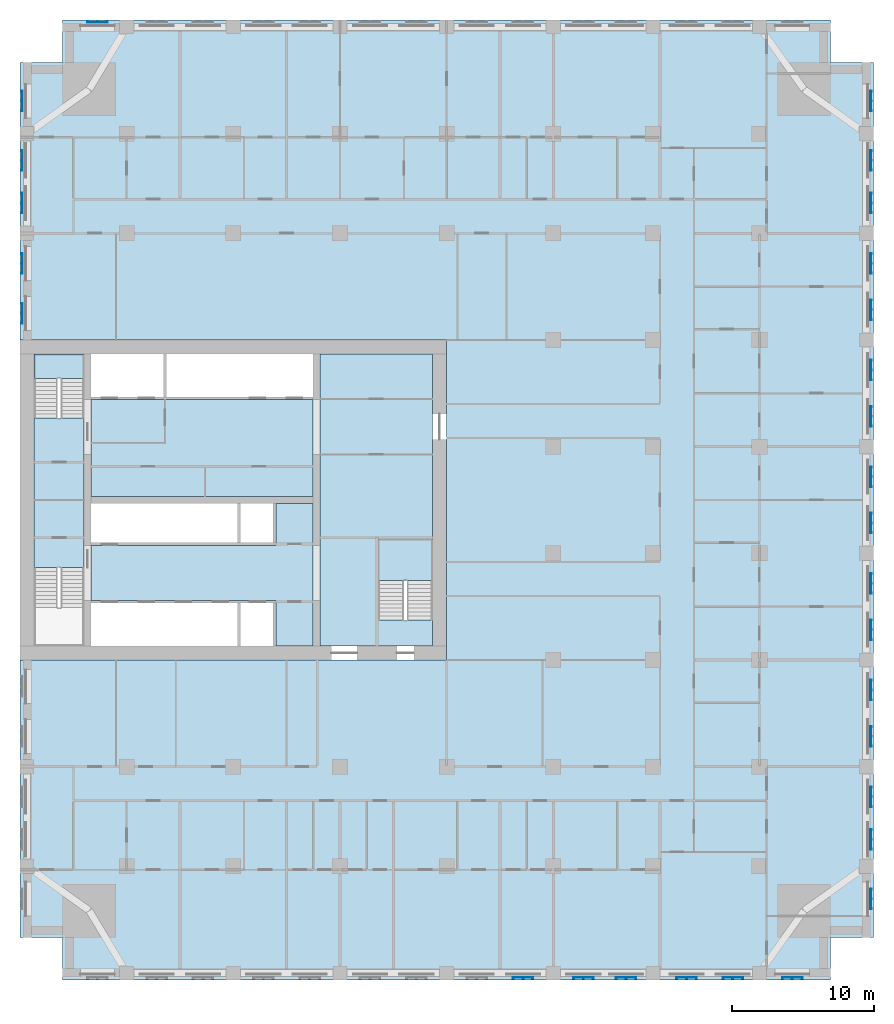
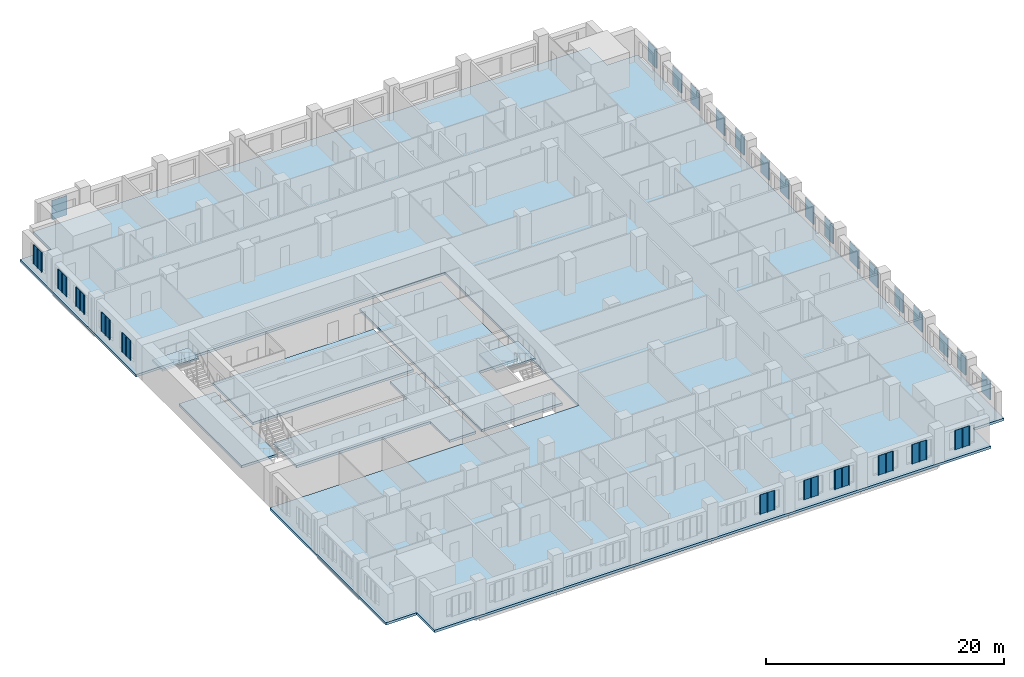
# One storey, part 2 of 14: 28 plates, 7 slabs, 2 elements without a shape of their own.
"""IFC4 building model written with IfcOpenShell, lengths in metres."""

from ifc_helpers import new_model, si_unit, direction, frame, origin, place, context, subcontext, project, spatial, polyline, outline, extrude, material, layer, layer_set, type_object, element, aggregate, save


model = new_model("IFC4")

# Units and contexts
model_context = context("Model", 3, precision=1e-05, world=origin(), true_north=direction((0.0, 1.0)))
body_context = subcontext(model_context, "Body", "Model", "MODEL_VIEW")
ifc_project = project(units=[si_unit("LENGTHUNIT", "METRE"), si_unit("AREAUNIT", "SQUARE_METRE"), si_unit("VOLUMEUNIT", "CUBIC_METRE"), si_unit("PLANEANGLEUNIT", "RADIAN"), si_unit("MASSUNIT", "GRAM", prefix="KILO")], contexts=[model_context])

# Site, building, storey
site_placement = place(None, origin())
site = spatial("IfcSite", under=ifc_project, at=site_placement, CompositionType="ELEMENT")
building_placement = place(site_placement, origin())
building = spatial("IfcBuilding", under=site, at=building_placement, Name="Tamorin Gate", CompositionType="ELEMENT")
storey_placement = place(building_placement, frame((0.0, 0.0, 89.89990234375)))
storey = spatial("IfcBuildingStorey", under=building, at=storey_placement, Name="L21", CompositionType="ELEMENT", Elevation=89.89990234375)

# Slabs
ifc_material_1 = material(Name="Concrete C40/50", Category="concrete")
ifc_layer_1 = layer(ifc_material_1, 0.25)
ifc_layer_set_1 = layer_set([ifc_layer_1], Name="Core floor slab 250 C40/50")
slab_type_1 = type_object("IfcSlabType", Name="Core floor slab 250 C40/50", PredefinedType="FLOOR", material=ifc_layer_set_1)
slab_1_placement = place(storey_placement, frame((0.0, 0.0, -0.25)))
element("IfcSlab", 1, at=slab_1_placement, inside=storey, type_object=slab_type_1, Name="Core floor L21", PredefinedType="FLOOR", context=body_context, shape_type="SweptSolid", body=[
    extrude(outline(polyline([(59.0, 62.800048828125), (59.0, 61.0), (51.10009765625, 61.0), (51.10009765625, 81.5), (59.0, 81.5), (59.0, 68.5), (55.199951171875, 68.5), (55.199951171875, 62.800048828125), (59.0, 62.800048828125)])), origin(), (0.0, 0.0, 1.0), 0.25),
])
slab_2_placement = place(storey_placement, frame((0.0, 0.0, -0.25)))
element("IfcSlab", 2, at=slab_2_placement, inside=storey, type_object=slab_type_1, Name="Core floor L21", PredefinedType="FLOOR", context=body_context, shape_type="SweptSolid", body=[
    extrude(outline(polyline([(50.60009765625, 61.0), (48.0, 61.0), (48.0, 64.199951171875), (35.0, 64.199951171875), (35.0, 68.050048828125), (48.0, 68.050048828125), (48.0, 71.0), (50.60009765625, 71.0), (50.60009765625, 61.0)])), origin(), (0.0, 0.0, 1.0), 0.25),
])
slab_3_placement = place(storey_placement, frame((0.0, 0.0, -0.25)))
element("IfcSlab", 3, at=slab_3_placement, inside=storey, type_object=slab_type_1, Name="Core floor L21", PredefinedType="FLOOR", context=body_context, shape_type="SweptSolid", body=[
    extrude(outline(polyline([(50.60009765625, 71.5), (35.0, 71.5), (35.0, 78.300048828125), (50.60009765625, 78.300048828125), (50.60009765625, 71.5)])), origin(), (0.0, 0.0, 1.0), 0.25),
])
slab_4_placement = place(storey_placement, frame((0.0, 0.0, -0.25)))
element("IfcSlab", 4, at=slab_4_placement, inside=storey, type_object=slab_type_1, Name="Core floor L21", PredefinedType="FLOOR", context=body_context, shape_type="SweptSolid", body=[
    extrude(outline(polyline([(31.0, 66.5), (31.0, 77.0), (34.5, 77.0), (34.5, 66.5), (31.0, 66.5)])), origin(), (0.0, 0.0, 1.0), 0.25),
])

# Stair, slab
stair_type = type_object("IfcStairType", Name="Exit stair", PredefinedType="HALF_TURN_STAIR", material=ifc_material_1)
stair_1_placement = place(storey_placement, origin())
stair_1 = element("IfcStair", 5, at=stair_1_placement, inside=storey, type_object=stair_type, Name="L21 stair ST2", PredefinedType="HALF_TURN_STAIR")
ifc_layer_2 = layer(ifc_material_1, 0.199951171875)
ifc_layer_set_2 = layer_set([ifc_layer_2], Name="Exit stair landing 200")
slab_type_2 = type_object("IfcSlabType", Name="Exit stair landing 200", PredefinedType="LANDING", material=ifc_layer_set_2)
slab_5_placement = place(storey_placement, frame((0.0, 0.0, 1.60009765625)))
slab_5 = element("IfcSlab", 6, at=slab_5_placement, type_object=slab_type_2, Name="ST2 landing 1", PredefinedType="LANDING", context=body_context, shape_type="SweptSolid", body=[
    extrude(outline(polyline([(34.5, 79.800048828125), (34.5, 81.5), (31.0, 81.5), (31.0, 79.800048828125), (34.5, 79.800048828125)])), origin(), (0.0, 0.0, 1.0), 0.199951171875),
])
aggregate(stair_1, [slab_5])

stair_2_placement = place(storey_placement, origin())
stair_2 = element("IfcStair", 7, at=stair_2_placement, inside=storey, type_object=stair_type, Name="L21 stair ST3", PredefinedType="HALF_TURN_STAIR")
slab_6_placement = place(storey_placement, frame((0.0, 0.0, 1.60009765625)))
slab_6 = element("IfcSlab", 8, at=slab_6_placement, type_object=slab_type_2, Name="ST3 landing 1", PredefinedType="LANDING", context=body_context, shape_type="SweptSolid", body=[
    extrude(outline(polyline([(59.0, 65.60009765625), (59.0, 68.5), (55.199951171875, 68.5), (55.199951171875, 65.60009765625), (59.0, 65.60009765625)])), origin(), (0.0, 0.0, 1.0), 0.199951171875),
])
aggregate(stair_2, [slab_6])

# Slab
ifc_layer_3 = layer(ifc_material_1, 0.25)
ifc_layer_set_3 = layer_set([ifc_layer_3], Name="Floor slab 250 C40/50")
slab_type_3 = type_object("IfcSlabType", Name="Floor slab 250 C40/50", PredefinedType="FLOOR", material=ifc_layer_set_3)
slab_7_placement = place(storey_placement, frame((0.0, 0.0, -0.25)))
element("IfcSlab", 9, at=slab_7_placement, inside=storey, type_object=slab_type_3, Name="Floor L21", PredefinedType="FLOOR", context=body_context, shape_type="SweptSolid", body=[
    extrude(outline(polyline([(30.0, 102.0), (33.0, 102.0), (33.0, 105.0), (87.0, 105.0), (87.0, 102.0), (90.0, 102.0), (90.0, 40.5), (87.0, 40.5), (87.0, 37.5), (33.0, 37.5), (33.0, 40.5), (30.0, 40.5), (30.0, 60.0), (60.0, 60.0), (60.0, 82.5), (30.0, 82.5), (30.0, 102.0)])), origin(), (0.0, 0.0, 1.0), 0.25),
])

# Plates
ifc_material_2 = material(Name="Perforated pale aluminium sheet", Category="aluminium")
ifc_layer_4 = layer(ifc_material_2, 0.0400390625)
ifc_layer_set_4 = layer_set([ifc_layer_4], Name="Pale metal solar screen 1440")
plate_type = type_object("IfcPlateType", Name="Pale metal solar screen 1440", PredefinedType="SHEET", material=ifc_layer_set_4)
plate_1_placement = place(storey_placement, frame((0.0, 0.0, 0.710205078125)))
element("IfcPlate", 10, at=plate_1_placement, inside=storey, type_object=plate_type, Name="Perforated solar screen", PredefinedType="SHEET", context=body_context, shape_type="SweptSolid", body=[
    extrude(outline(polyline([(64.655029296875, 37.659912109375), (64.655029296875, 37.699951171875), (64.715087890625, 37.699951171875), (65.344970703125, 37.699951171875), (65.405029296875, 37.699951171875), (66.034912109375, 37.699951171875), (66.094970703125, 37.699951171875), (66.094970703125, 37.659912109375), (66.094970703125, 37.60009765625), (66.034912109375, 37.60009765625), (66.034912109375, 37.659912109375), (65.405029296875, 37.659912109375), (65.405029296875, 37.60009765625), (65.344970703125, 37.60009765625), (65.344970703125, 37.659912109375), (64.715087890625, 37.659912109375), (64.715087890625, 37.60009765625), (64.655029296875, 37.60009765625), (64.655029296875, 37.659912109375)])), origin(), (0.0, 0.0, 1.0), 1.97998046875),
])
plate_2_placement = place(storey_placement, frame((0.0, 0.0, 0.710205078125)))
element("IfcPlate", 11, at=plate_2_placement, inside=storey, type_object=plate_type, Name="Perforated solar screen", PredefinedType="SHEET", context=body_context, shape_type="SweptSolid", body=[
    extrude(outline(polyline([(68.905029296875, 37.659912109375), (68.905029296875, 37.699951171875), (68.965087890625, 37.699951171875), (69.594970703125, 37.699951171875), (69.655029296875, 37.699951171875), (70.284912109375, 37.699951171875), (70.344970703125, 37.699951171875), (70.344970703125, 37.659912109375), (70.344970703125, 37.60009765625), (70.284912109375, 37.60009765625), (70.284912109375, 37.659912109375), (69.655029296875, 37.659912109375), (69.655029296875, 37.60009765625), (69.594970703125, 37.60009765625), (69.594970703125, 37.659912109375), (68.965087890625, 37.659912109375), (68.965087890625, 37.60009765625), (68.905029296875, 37.60009765625), (68.905029296875, 37.659912109375)])), origin(), (0.0, 0.0, 1.0), 1.97998046875),
])
plate_3_placement = place(storey_placement, frame((0.0, 0.0, 0.710205078125)))
element("IfcPlate", 12, at=plate_3_placement, inside=storey, type_object=plate_type, Name="Perforated solar screen", PredefinedType="SHEET", context=body_context, shape_type="SweptSolid", body=[
    extrude(outline(polyline([(71.905029296875, 37.659912109375), (71.905029296875, 37.699951171875), (71.965087890625, 37.699951171875), (72.594970703125, 37.699951171875), (72.655029296875, 37.699951171875), (73.284912109375, 37.699951171875), (73.344970703125, 37.699951171875), (73.344970703125, 37.659912109375), (73.344970703125, 37.60009765625), (73.284912109375, 37.60009765625), (73.284912109375, 37.659912109375), (72.655029296875, 37.659912109375), (72.655029296875, 37.60009765625), (72.594970703125, 37.60009765625), (72.594970703125, 37.659912109375), (71.965087890625, 37.659912109375), (71.965087890625, 37.60009765625), (71.905029296875, 37.60009765625), (71.905029296875, 37.659912109375)])), origin(), (0.0, 0.0, 1.0), 1.97998046875),
])
plate_4_placement = place(storey_placement, frame((0.0, 0.0, 0.710205078125)))
element("IfcPlate", 13, at=plate_4_placement, inside=storey, type_object=plate_type, Name="Perforated solar screen", PredefinedType="SHEET", context=body_context, shape_type="SweptSolid", body=[
    extrude(outline(polyline([(76.155029296875, 37.659912109375), (76.155029296875, 37.699951171875), (76.215087890625, 37.699951171875), (76.844970703125, 37.699951171875), (76.905029296875, 37.699951171875), (77.534912109375, 37.699951171875), (77.594970703125, 37.699951171875), (77.594970703125, 37.659912109375), (77.594970703125, 37.60009765625), (77.534912109375, 37.60009765625), (77.534912109375, 37.659912109375), (76.905029296875, 37.659912109375), (76.905029296875, 37.60009765625), (76.844970703125, 37.60009765625), (76.844970703125, 37.659912109375), (76.215087890625, 37.659912109375), (76.215087890625, 37.60009765625), (76.155029296875, 37.60009765625), (76.155029296875, 37.659912109375)])), origin(), (0.0, 0.0, 1.0), 1.97998046875),
])
plate_5_placement = place(storey_placement, frame((0.0, 0.0, 0.710205078125)))
element("IfcPlate", 14, at=plate_5_placement, inside=storey, type_object=plate_type, Name="Perforated solar screen", PredefinedType="SHEET", context=body_context, shape_type="SweptSolid", body=[
    extrude(outline(polyline([(79.405029296875, 37.659912109375), (79.405029296875, 37.699951171875), (79.465087890625, 37.699951171875), (80.094970703125, 37.699951171875), (80.155029296875, 37.699951171875), (80.784912109375, 37.699951171875), (80.844970703125, 37.699951171875), (80.844970703125, 37.659912109375), (80.844970703125, 37.60009765625), (80.784912109375, 37.60009765625), (80.784912109375, 37.659912109375), (80.155029296875, 37.659912109375), (80.155029296875, 37.60009765625), (80.094970703125, 37.60009765625), (80.094970703125, 37.659912109375), (79.465087890625, 37.659912109375), (79.465087890625, 37.60009765625), (79.405029296875, 37.60009765625), (79.405029296875, 37.659912109375)])), origin(), (0.0, 0.0, 1.0), 1.97998046875),
])
plate_6_placement = place(storey_placement, frame((0.0, 0.0, 0.710205078125)))
element("IfcPlate", 15, at=plate_6_placement, inside=storey, type_object=plate_type, Name="Perforated solar screen", PredefinedType="SHEET", context=body_context, shape_type="SweptSolid", body=[
    extrude(outline(polyline([(83.580078125, 37.659912109375), (83.580078125, 37.699951171875), (83.639892578125, 37.699951171875), (84.27001953125, 37.699951171875), (84.330078125, 37.699951171875), (84.9599609375, 37.699951171875), (85.02001953125, 37.699951171875), (85.02001953125, 37.659912109375), (85.02001953125, 37.60009765625), (84.9599609375, 37.60009765625), (84.9599609375, 37.659912109375), (84.330078125, 37.659912109375), (84.330078125, 37.60009765625), (84.27001953125, 37.60009765625), (84.27001953125, 37.659912109375), (83.639892578125, 37.659912109375), (83.639892578125, 37.60009765625), (83.580078125, 37.60009765625), (83.580078125, 37.659912109375)])), origin(), (0.0, 0.0, 1.0), 1.97998046875),
])
plate_7_placement = place(storey_placement, frame((0.0, 0.0, 0.710205078125)))
element("IfcPlate", 16, at=plate_7_placement, inside=storey, type_object=plate_type, Name="Perforated solar screen", PredefinedType="SHEET", context=body_context, shape_type="SweptSolid", body=[
    extrude(outline(polyline([(89.840087890625, 42.47998046875), (89.800048828125, 42.47998046875), (89.800048828125, 42.5400390625), (89.800048828125, 43.169921875), (89.800048828125, 43.22998046875), (89.800048828125, 43.860107421875), (89.800048828125, 43.919921875), (89.840087890625, 43.919921875), (89.89990234375, 43.919921875), (89.89990234375, 43.860107421875), (89.840087890625, 43.860107421875), (89.840087890625, 43.22998046875), (89.89990234375, 43.22998046875), (89.89990234375, 43.169921875), (89.840087890625, 43.169921875), (89.840087890625, 42.5400390625), (89.89990234375, 42.5400390625), (89.89990234375, 42.47998046875), (89.840087890625, 42.47998046875)])), origin(), (0.0, 0.0, 1.0), 1.97998046875),
])
plate_8_placement = place(storey_placement, frame((0.0, 0.0, 0.710205078125)))
element("IfcPlate", 17, at=plate_8_placement, inside=storey, type_object=plate_type, Name="Perforated solar screen", PredefinedType="SHEET", context=body_context, shape_type="SweptSolid", body=[
    extrude(outline(polyline([(89.840087890625, 46.655029296875), (89.800048828125, 46.655029296875), (89.800048828125, 46.715087890625), (89.800048828125, 47.344970703125), (89.800048828125, 47.405029296875), (89.800048828125, 48.034912109375), (89.800048828125, 48.094970703125), (89.800048828125, 48.094970703125), (89.840087890625, 48.094970703125), (89.840087890625, 48.094970703125), (89.89990234375, 48.094970703125), (89.89990234375, 48.034912109375), (89.840087890625, 48.034912109375), (89.840087890625, 47.405029296875), (89.89990234375, 47.405029296875), (89.89990234375, 47.344970703125), (89.840087890625, 47.344970703125), (89.840087890625, 46.715087890625), (89.89990234375, 46.715087890625), (89.89990234375, 46.655029296875), (89.840087890625, 46.655029296875)])), origin(), (0.0, 0.0, 1.0), 1.97998046875),
])
plate_9_placement = place(storey_placement, frame((0.0, 0.0, 0.710205078125)))
element("IfcPlate", 18, at=plate_9_placement, inside=storey, type_object=plate_type, Name="Perforated solar screen", PredefinedType="SHEET", context=body_context, shape_type="SweptSolid", body=[
    extrude(outline(polyline([(89.840087890625, 49.655029296875), (89.800048828125, 49.655029296875), (89.800048828125, 49.715087890625), (89.800048828125, 50.344970703125), (89.800048828125, 50.405029296875), (89.800048828125, 51.034912109375), (89.800048828125, 51.094970703125), (89.840087890625, 51.094970703125), (89.89990234375, 51.094970703125), (89.89990234375, 51.034912109375), (89.840087890625, 51.034912109375), (89.840087890625, 50.405029296875), (89.89990234375, 50.405029296875), (89.89990234375, 50.344970703125), (89.840087890625, 50.344970703125), (89.840087890625, 49.715087890625), (89.89990234375, 49.715087890625), (89.89990234375, 49.655029296875), (89.840087890625, 49.655029296875)])), origin(), (0.0, 0.0, 1.0), 1.97998046875),
])
plate_10_placement = place(storey_placement, frame((0.0, 0.0, 0.710205078125)))
element("IfcPlate", 19, at=plate_10_placement, inside=storey, type_object=plate_type, Name="Perforated solar screen", PredefinedType="SHEET", context=body_context, shape_type="SweptSolid", body=[
    extrude(outline(polyline([(89.840087890625, 53.905029296875), (89.800048828125, 53.905029296875), (89.800048828125, 53.965087890625), (89.800048828125, 54.594970703125), (89.800048828125, 54.655029296875), (89.800048828125, 55.284912109375), (89.800048828125, 55.344970703125), (89.840087890625, 55.344970703125), (89.89990234375, 55.344970703125), (89.89990234375, 55.284912109375), (89.840087890625, 55.284912109375), (89.840087890625, 54.655029296875), (89.89990234375, 54.655029296875), (89.89990234375, 54.594970703125), (89.840087890625, 54.594970703125), (89.840087890625, 53.965087890625), (89.89990234375, 53.965087890625), (89.89990234375, 53.905029296875), (89.840087890625, 53.905029296875)])), origin(), (0.0, 0.0, 1.0), 1.97998046875),
])
plate_11_placement = place(storey_placement, frame((0.0, 0.0, 0.710205078125)))
element("IfcPlate", 20, at=plate_11_placement, inside=storey, type_object=plate_type, Name="Perforated solar screen", PredefinedType="SHEET", context=body_context, shape_type="SweptSolid", body=[
    extrude(outline(polyline([(89.840087890625, 57.155029296875), (89.800048828125, 57.155029296875), (89.800048828125, 57.215087890625), (89.800048828125, 57.844970703125), (89.800048828125, 57.905029296875), (89.800048828125, 58.534912109375), (89.800048828125, 58.594970703125), (89.840087890625, 58.594970703125), (89.89990234375, 58.594970703125), (89.89990234375, 58.534912109375), (89.840087890625, 58.534912109375), (89.840087890625, 57.905029296875), (89.89990234375, 57.905029296875), (89.89990234375, 57.844970703125), (89.840087890625, 57.844970703125), (89.840087890625, 57.215087890625), (89.89990234375, 57.215087890625), (89.89990234375, 57.155029296875), (89.840087890625, 57.155029296875)])), origin(), (0.0, 0.0, 1.0), 1.97998046875),
])
plate_12_placement = place(storey_placement, frame((0.0, 0.0, 0.710205078125)))
element("IfcPlate", 21, at=plate_12_placement, inside=storey, type_object=plate_type, Name="Perforated solar screen", PredefinedType="SHEET", context=body_context, shape_type="SweptSolid", body=[
    extrude(outline(polyline([(89.840087890625, 61.405029296875), (89.800048828125, 61.405029296875), (89.800048828125, 61.465087890625), (89.800048828125, 62.094970703125), (89.800048828125, 62.155029296875), (89.800048828125, 62.784912109375), (89.800048828125, 62.844970703125), (89.840087890625, 62.844970703125), (89.89990234375, 62.844970703125), (89.89990234375, 62.784912109375), (89.840087890625, 62.784912109375), (89.840087890625, 62.155029296875), (89.89990234375, 62.155029296875), (89.89990234375, 62.094970703125), (89.840087890625, 62.094970703125), (89.840087890625, 61.465087890625), (89.89990234375, 61.465087890625), (89.89990234375, 61.405029296875), (89.840087890625, 61.405029296875)])), origin(), (0.0, 0.0, 1.0), 1.97998046875),
])
plate_13_placement = place(storey_placement, frame((0.0, 0.0, 0.710205078125)))
element("IfcPlate", 22, at=plate_13_placement, inside=storey, type_object=plate_type, Name="Perforated solar screen", PredefinedType="SHEET", context=body_context, shape_type="SweptSolid", body=[
    extrude(outline(polyline([(89.840087890625, 64.655029296875), (89.800048828125, 64.655029296875), (89.800048828125, 64.715087890625), (89.800048828125, 65.344970703125), (89.800048828125, 65.405029296875), (89.800048828125, 66.034912109375), (89.800048828125, 66.094970703125), (89.840087890625, 66.094970703125), (89.89990234375, 66.094970703125), (89.89990234375, 66.034912109375), (89.840087890625, 66.034912109375), (89.840087890625, 65.405029296875), (89.89990234375, 65.405029296875), (89.89990234375, 65.344970703125), (89.840087890625, 65.344970703125), (89.840087890625, 64.715087890625), (89.89990234375, 64.715087890625), (89.89990234375, 64.655029296875), (89.840087890625, 64.655029296875)])), origin(), (0.0, 0.0, 1.0), 1.97998046875),
])
plate_14_placement = place(storey_placement, frame((0.0, 0.0, 0.710205078125)))
element("IfcPlate", 23, at=plate_14_placement, inside=storey, type_object=plate_type, Name="Perforated solar screen", PredefinedType="SHEET", context=body_context, shape_type="SweptSolid", body=[
    extrude(outline(polyline([(89.840087890625, 68.905029296875), (89.800048828125, 68.905029296875), (89.800048828125, 68.965087890625), (89.800048828125, 69.594970703125), (89.800048828125, 69.655029296875), (89.800048828125, 70.284912109375), (89.800048828125, 70.344970703125), (89.840087890625, 70.344970703125), (89.89990234375, 70.344970703125), (89.89990234375, 70.284912109375), (89.840087890625, 70.284912109375), (89.840087890625, 69.655029296875), (89.89990234375, 69.655029296875), (89.89990234375, 69.594970703125), (89.840087890625, 69.594970703125), (89.840087890625, 68.965087890625), (89.89990234375, 68.965087890625), (89.89990234375, 68.905029296875), (89.840087890625, 68.905029296875)])), origin(), (0.0, 0.0, 1.0), 1.97998046875),
])
plate_15_placement = place(storey_placement, frame((0.0, 0.0, 0.710205078125)))
element("IfcPlate", 24, at=plate_15_placement, inside=storey, type_object=plate_type, Name="Perforated solar screen", PredefinedType="SHEET", context=body_context, shape_type="SweptSolid", body=[
    extrude(outline(polyline([(89.840087890625, 72.155029296875), (89.800048828125, 72.155029296875), (89.800048828125, 72.215087890625), (89.800048828125, 72.844970703125), (89.800048828125, 72.905029296875), (89.800048828125, 73.534912109375), (89.800048828125, 73.594970703125), (89.840087890625, 73.594970703125), (89.89990234375, 73.594970703125), (89.89990234375, 73.534912109375), (89.840087890625, 73.534912109375), (89.840087890625, 72.905029296875), (89.89990234375, 72.905029296875), (89.89990234375, 72.844970703125), (89.840087890625, 72.844970703125), (89.840087890625, 72.215087890625), (89.89990234375, 72.215087890625), (89.89990234375, 72.155029296875), (89.840087890625, 72.155029296875)])), origin(), (0.0, 0.0, 1.0), 1.97998046875),
])
plate_16_placement = place(storey_placement, frame((0.0, 0.0, 0.710205078125)))
element("IfcPlate", 25, at=plate_16_placement, inside=storey, type_object=plate_type, Name="Perforated solar screen", PredefinedType="SHEET", context=body_context, shape_type="SweptSolid", body=[
    extrude(outline(polyline([(89.840087890625, 76.405029296875), (89.800048828125, 76.405029296875), (89.800048828125, 76.465087890625), (89.800048828125, 77.094970703125), (89.800048828125, 77.155029296875), (89.800048828125, 77.784912109375), (89.800048828125, 77.844970703125), (89.840087890625, 77.844970703125), (89.89990234375, 77.844970703125), (89.89990234375, 77.784912109375), (89.840087890625, 77.784912109375), (89.840087890625, 77.155029296875), (89.89990234375, 77.155029296875), (89.89990234375, 77.094970703125), (89.840087890625, 77.094970703125), (89.840087890625, 76.465087890625), (89.89990234375, 76.465087890625), (89.89990234375, 76.405029296875), (89.840087890625, 76.405029296875)])), origin(), (0.0, 0.0, 1.0), 1.97998046875),
])
plate_17_placement = place(storey_placement, frame((0.0, 0.0, 0.710205078125)))
element("IfcPlate", 26, at=plate_17_placement, inside=storey, type_object=plate_type, Name="Perforated solar screen", PredefinedType="SHEET", context=body_context, shape_type="SweptSolid", body=[
    extrude(outline(polyline([(89.840087890625, 79.655029296875), (89.800048828125, 79.655029296875), (89.800048828125, 79.715087890625), (89.800048828125, 80.344970703125), (89.800048828125, 80.405029296875), (89.800048828125, 81.034912109375), (89.800048828125, 81.094970703125), (89.840087890625, 81.094970703125), (89.89990234375, 81.094970703125), (89.89990234375, 81.034912109375), (89.840087890625, 81.034912109375), (89.840087890625, 80.405029296875), (89.89990234375, 80.405029296875), (89.89990234375, 80.344970703125), (89.840087890625, 80.344970703125), (89.840087890625, 79.715087890625), (89.89990234375, 79.715087890625), (89.89990234375, 79.655029296875), (89.840087890625, 79.655029296875)])), origin(), (0.0, 0.0, 1.0), 1.97998046875),
])
plate_18_placement = place(storey_placement, frame((0.0, 0.0, 0.710205078125)))
element("IfcPlate", 27, at=plate_18_placement, inside=storey, type_object=plate_type, Name="Perforated solar screen", PredefinedType="SHEET", context=body_context, shape_type="SweptSolid", body=[
    extrude(outline(polyline([(89.840087890625, 83.905029296875), (89.800048828125, 83.905029296875), (89.800048828125, 83.965087890625), (89.800048828125, 84.594970703125), (89.800048828125, 84.655029296875), (89.800048828125, 85.284912109375), (89.800048828125, 85.344970703125), (89.840087890625, 85.344970703125), (89.89990234375, 85.344970703125), (89.89990234375, 85.284912109375), (89.840087890625, 85.284912109375), (89.840087890625, 84.655029296875), (89.89990234375, 84.655029296875), (89.89990234375, 84.594970703125), (89.840087890625, 84.594970703125), (89.840087890625, 83.965087890625), (89.89990234375, 83.965087890625), (89.89990234375, 83.905029296875), (89.840087890625, 83.905029296875)])), origin(), (0.0, 0.0, 1.0), 1.97998046875),
])
plate_19_placement = place(storey_placement, frame((0.0, 0.0, 0.710205078125)))
element("IfcPlate", 28, at=plate_19_placement, inside=storey, type_object=plate_type, Name="Perforated solar screen", PredefinedType="SHEET", context=body_context, shape_type="SweptSolid", body=[
    extrude(outline(polyline([(89.840087890625, 87.155029296875), (89.800048828125, 87.155029296875), (89.800048828125, 87.215087890625), (89.800048828125, 87.844970703125), (89.800048828125, 87.905029296875), (89.800048828125, 88.534912109375), (89.800048828125, 88.594970703125), (89.840087890625, 88.594970703125), (89.89990234375, 88.594970703125), (89.89990234375, 88.534912109375), (89.840087890625, 88.534912109375), (89.840087890625, 87.905029296875), (89.89990234375, 87.905029296875), (89.89990234375, 87.844970703125), (89.840087890625, 87.844970703125), (89.840087890625, 87.215087890625), (89.89990234375, 87.215087890625), (89.89990234375, 87.155029296875), (89.840087890625, 87.155029296875)])), origin(), (0.0, 0.0, 1.0), 1.97998046875),
])
plate_20_placement = place(storey_placement, frame((0.0, 0.0, 0.710205078125)))
element("IfcPlate", 29, at=plate_20_placement, inside=storey, type_object=plate_type, Name="Perforated solar screen", PredefinedType="SHEET", context=body_context, shape_type="SweptSolid", body=[
    extrude(outline(polyline([(89.840087890625, 91.405029296875), (89.800048828125, 91.405029296875), (89.800048828125, 91.465087890625), (89.800048828125, 92.094970703125), (89.800048828125, 92.155029296875), (89.800048828125, 92.784912109375), (89.800048828125, 92.844970703125), (89.840087890625, 92.844970703125), (89.89990234375, 92.844970703125), (89.89990234375, 92.784912109375), (89.840087890625, 92.784912109375), (89.840087890625, 92.155029296875), (89.89990234375, 92.155029296875), (89.89990234375, 92.094970703125), (89.840087890625, 92.094970703125), (89.840087890625, 91.465087890625), (89.89990234375, 91.465087890625), (89.89990234375, 91.405029296875), (89.840087890625, 91.405029296875)])), origin(), (0.0, 0.0, 1.0), 1.97998046875),
])
plate_21_placement = place(storey_placement, frame((0.0, 0.0, 0.710205078125)))
element("IfcPlate", 30, at=plate_21_placement, inside=storey, type_object=plate_type, Name="Perforated solar screen", PredefinedType="SHEET", context=body_context, shape_type="SweptSolid", body=[
    extrude(outline(polyline([(89.840087890625, 94.405029296875), (89.800048828125, 94.405029296875), (89.800048828125, 94.465087890625), (89.800048828125, 95.094970703125), (89.800048828125, 95.155029296875), (89.800048828125, 95.784912109375), (89.800048828125, 95.844970703125), (89.840087890625, 95.844970703125), (89.89990234375, 95.844970703125), (89.89990234375, 95.784912109375), (89.840087890625, 95.784912109375), (89.840087890625, 95.155029296875), (89.89990234375, 95.155029296875), (89.89990234375, 95.094970703125), (89.840087890625, 95.094970703125), (89.840087890625, 94.465087890625), (89.89990234375, 94.465087890625), (89.89990234375, 94.405029296875), (89.840087890625, 94.405029296875)])), origin(), (0.0, 0.0, 1.0), 1.97998046875),
])
plate_22_placement = place(storey_placement, frame((0.0, 0.0, 0.710205078125)))
element("IfcPlate", 31, at=plate_22_placement, inside=storey, type_object=plate_type, Name="Perforated solar screen", PredefinedType="SHEET", context=body_context, shape_type="SweptSolid", body=[
    extrude(outline(polyline([(89.840087890625, 98.580078125), (89.800048828125, 98.580078125), (89.800048828125, 98.639892578125), (89.800048828125, 99.27001953125), (89.800048828125, 99.330078125), (89.800048828125, 99.9599609375), (89.800048828125, 100.02001953125), (89.840087890625, 100.02001953125), (89.89990234375, 100.02001953125), (89.89990234375, 99.9599609375), (89.840087890625, 99.9599609375), (89.840087890625, 99.330078125), (89.89990234375, 99.330078125), (89.89990234375, 99.27001953125), (89.840087890625, 99.27001953125), (89.840087890625, 98.639892578125), (89.89990234375, 98.639892578125), (89.89990234375, 98.580078125), (89.840087890625, 98.580078125)])), origin(), (0.0, 0.0, 1.0), 1.97998046875),
])
plate_23_placement = place(storey_placement, frame((0.0, 0.0, 0.710205078125)))
element("IfcPlate", 32, at=plate_23_placement, inside=storey, type_object=plate_type, Name="Perforated solar screen", PredefinedType="SHEET", context=body_context, shape_type="SweptSolid", body=[
    extrude(outline(polyline([(36.169921875, 104.840087890625), (36.169921875, 104.800048828125), (36.110107421875, 104.800048828125), (35.47998046875, 104.800048828125), (35.419921875, 104.800048828125), (34.7900390625, 104.800048828125), (34.72998046875, 104.800048828125), (34.72998046875, 104.840087890625), (34.72998046875, 104.89990234375), (34.7900390625, 104.89990234375), (34.7900390625, 104.840087890625), (35.419921875, 104.840087890625), (35.419921875, 104.89990234375), (35.47998046875, 104.89990234375), (35.47998046875, 104.840087890625), (36.110107421875, 104.840087890625), (36.110107421875, 104.89990234375), (36.169921875, 104.89990234375), (36.169921875, 104.840087890625)])), origin(), (0.0, 0.0, 1.0), 1.97998046875),
])
plate_24_placement = place(storey_placement, frame((0.0, 0.0, 0.710205078125)))
element("IfcPlate", 33, at=plate_24_placement, inside=storey, type_object=plate_type, Name="Perforated solar screen", PredefinedType="SHEET", context=body_context, shape_type="SweptSolid", body=[
    extrude(outline(polyline([(30.159912109375, 100.02001953125), (30.199951171875, 100.02001953125), (30.199951171875, 99.9599609375), (30.199951171875, 99.330078125), (30.199951171875, 99.27001953125), (30.199951171875, 98.639892578125), (30.199951171875, 98.580078125), (30.159912109375, 98.580078125), (30.10009765625, 98.580078125), (30.10009765625, 98.639892578125), (30.159912109375, 98.639892578125), (30.159912109375, 99.27001953125), (30.10009765625, 99.27001953125), (30.10009765625, 99.330078125), (30.159912109375, 99.330078125), (30.159912109375, 99.9599609375), (30.10009765625, 99.9599609375), (30.10009765625, 100.02001953125), (30.159912109375, 100.02001953125)])), origin(), (0.0, 0.0, 1.0), 1.97998046875),
])
plate_25_placement = place(storey_placement, frame((0.0, 0.0, 0.710205078125)))
element("IfcPlate", 34, at=plate_25_placement, inside=storey, type_object=plate_type, Name="Perforated solar screen", PredefinedType="SHEET", context=body_context, shape_type="SweptSolid", body=[
    extrude(outline(polyline([(30.159912109375, 92.844970703125), (30.199951171875, 92.844970703125), (30.199951171875, 92.784912109375), (30.199951171875, 92.155029296875), (30.199951171875, 92.094970703125), (30.199951171875, 91.465087890625), (30.199951171875, 91.405029296875), (30.159912109375, 91.405029296875), (30.10009765625, 91.405029296875), (30.10009765625, 91.465087890625), (30.159912109375, 91.465087890625), (30.159912109375, 92.094970703125), (30.10009765625, 92.094970703125), (30.10009765625, 92.155029296875), (30.159912109375, 92.155029296875), (30.159912109375, 92.784912109375), (30.10009765625, 92.784912109375), (30.10009765625, 92.844970703125), (30.159912109375, 92.844970703125)])), origin(), (0.0, 0.0, 1.0), 1.97998046875),
])
plate_26_placement = place(storey_placement, frame((0.0, 0.0, 0.710205078125)))
element("IfcPlate", 35, at=plate_26_placement, inside=storey, type_object=plate_type, Name="Perforated solar screen", PredefinedType="SHEET", context=body_context, shape_type="SweptSolid", body=[
    extrude(outline(polyline([(30.159912109375, 95.844970703125), (30.199951171875, 95.844970703125), (30.199951171875, 95.784912109375), (30.199951171875, 95.155029296875), (30.199951171875, 95.094970703125), (30.199951171875, 94.465087890625), (30.199951171875, 94.405029296875), (30.199951171875, 94.405029296875), (30.159912109375, 94.405029296875), (30.159912109375, 94.405029296875), (30.10009765625, 94.405029296875), (30.10009765625, 94.465087890625), (30.159912109375, 94.465087890625), (30.159912109375, 95.094970703125), (30.10009765625, 95.094970703125), (30.10009765625, 95.155029296875), (30.159912109375, 95.155029296875), (30.159912109375, 95.784912109375), (30.10009765625, 95.784912109375), (30.10009765625, 95.844970703125), (30.159912109375, 95.844970703125)])), origin(), (0.0, 0.0, 1.0), 1.97998046875),
])
plate_27_placement = place(storey_placement, frame((0.0, 0.0, 0.710205078125)))
element("IfcPlate", 36, at=plate_27_placement, inside=storey, type_object=plate_type, Name="Perforated solar screen", PredefinedType="SHEET", context=body_context, shape_type="SweptSolid", body=[
    extrude(outline(polyline([(30.159912109375, 85.094970703125), (30.199951171875, 85.094970703125), (30.199951171875, 85.034912109375), (30.199951171875, 84.405029296875), (30.199951171875, 84.344970703125), (30.199951171875, 83.715087890625), (30.199951171875, 83.655029296875), (30.159912109375, 83.655029296875), (30.10009765625, 83.655029296875), (30.10009765625, 83.715087890625), (30.159912109375, 83.715087890625), (30.159912109375, 84.344970703125), (30.10009765625, 84.344970703125), (30.10009765625, 84.405029296875), (30.159912109375, 84.405029296875), (30.159912109375, 85.034912109375), (30.10009765625, 85.034912109375), (30.10009765625, 85.094970703125), (30.159912109375, 85.094970703125)])), origin(), (0.0, 0.0, 1.0), 1.97998046875),
])
plate_28_placement = place(storey_placement, frame((0.0, 0.0, 0.710205078125)))
element("IfcPlate", 37, at=plate_28_placement, inside=storey, type_object=plate_type, Name="Perforated solar screen", PredefinedType="SHEET", context=body_context, shape_type="SweptSolid", body=[
    extrude(outline(polyline([(30.159912109375, 88.594970703125), (30.199951171875, 88.594970703125), (30.199951171875, 88.534912109375), (30.199951171875, 87.905029296875), (30.199951171875, 87.844970703125), (30.199951171875, 87.215087890625), (30.199951171875, 87.155029296875), (30.159912109375, 87.155029296875), (30.10009765625, 87.155029296875), (30.10009765625, 87.215087890625), (30.159912109375, 87.215087890625), (30.159912109375, 87.844970703125), (30.10009765625, 87.844970703125), (30.10009765625, 87.905029296875), (30.159912109375, 87.905029296875), (30.159912109375, 88.534912109375), (30.10009765625, 88.534912109375), (30.10009765625, 88.594970703125), (30.159912109375, 88.594970703125)])), origin(), (0.0, 0.0, 1.0), 1.97998046875),
])

save(model, "model.ifc")
